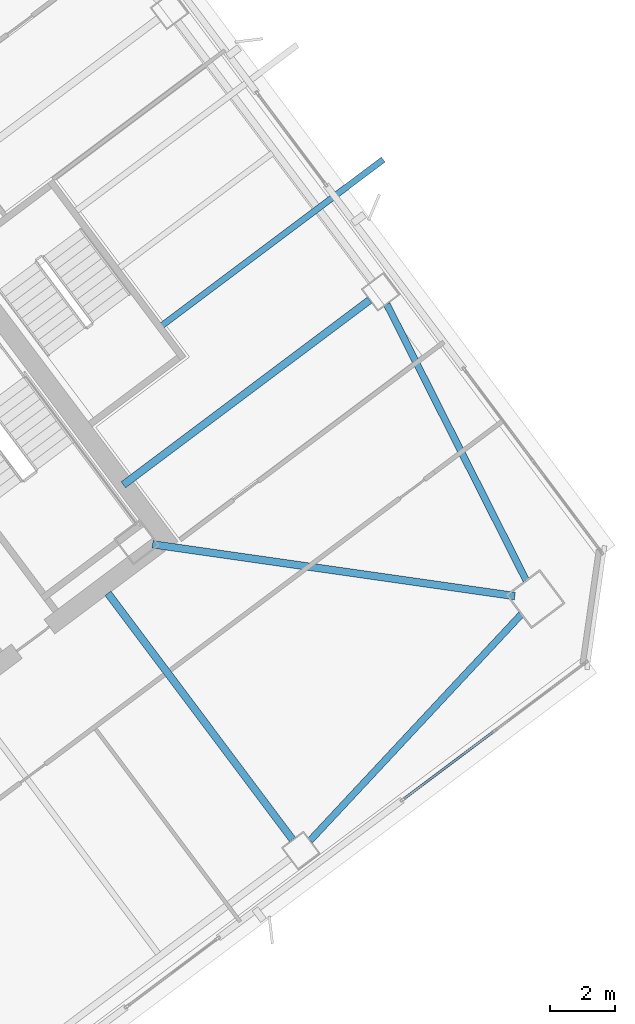
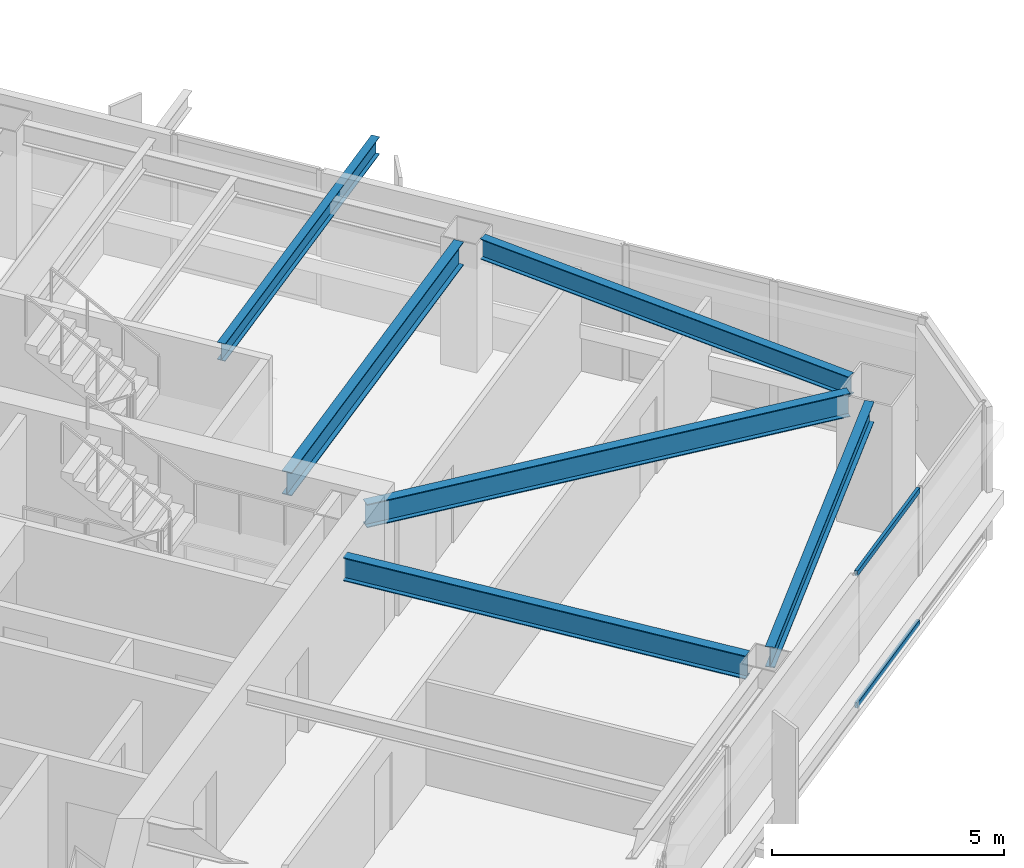
# One storey, part 27 of 48: 6 beams, 2 members, 1 element without a shape of its own.
"""IFC4 building model written with IfcOpenShell, lengths in metres."""

from ifc_helpers import new_model, si_unit, direction, frame, origin, origin_2d, place, context, subcontext, project, spatial, hollow_rectangle, i_section, extrude, material, material_profile, profile_set, type_object, element, aggregate, save


model = new_model("IFC4")

# Units and contexts
model_context = context("Model", 3, precision=1e-05, world=origin(), true_north=direction((0.0, 1.0)))
body_context = subcontext(model_context, "Body", "Model", "MODEL_VIEW")
ifc_project = project(units=[si_unit("LENGTHUNIT", "METRE"), si_unit("AREAUNIT", "SQUARE_METRE"), si_unit("VOLUMEUNIT", "CUBIC_METRE"), si_unit("PLANEANGLEUNIT", "RADIAN"), si_unit("MASSUNIT", "GRAM", prefix="KILO")], contexts=[model_context])

# Site, building, storey
site_placement = place(None, origin())
site = spatial("IfcSite", under=ifc_project, at=site_placement, CompositionType="ELEMENT")
building_placement = place(site_placement, origin())
building = spatial("IfcBuilding", under=site, at=building_placement, Name="Tashvorn Skyway Center", CompositionType="ELEMENT")
storey_placement = place(building_placement, frame((0.0, 0.0, 125.050048828125)))
storey = spatial("IfcBuildingStorey", under=building, at=storey_placement, Name="L33", CompositionType="ELEMENT", Elevation=125.050048828125)

# Beams
ifc_material_1 = material(Name="Steel ASTM A992 Grade 50", Category="steel")
ifc_material_profile_1 = material_profile(ifc_material_1, i_section(OverallWidth=0.22998046875, OverallDepth=0.616943359375, WebThickness=0.01318359375, FlangeThickness=0.022216796875, at=origin_2d()), Name="W24X94")
ifc_profile_set_1 = profile_set([ifc_material_profile_1], Name="Steel ASTM A992 Grade 50")
beam_type_1 = type_object("IfcBeamType", Name="BM-BEAM-W24X94", PredefinedType="BEAM", material=ifc_profile_set_1)
beam_1_placement = place(storey_placement, frame((135.4814453125, 28.93115234375, 3.0615234375), z_axis=(-0.989948189712, 0.141430483583, 0.0), x_axis=(-0.141430483583, -0.989948189712, 0.0)))
element("IfcBeam", 1, at=beam_1_placement, inside=storey, type_object=beam_type_1, Name="Tower 2 L33 Primary Floor Girder MC-SE", PredefinedType="BEAM", context=body_context, shape_type="SweptSolid", body=[
    extrude(i_section(OverallWidth=0.22998046875, OverallDepth=0.616943359375, WebThickness=0.01318359375, FlangeThickness=0.022216796875, at=origin_2d()), origin(), (0.0, 0.0, 1.0), 11.234375),
])
for number, where, z_axis, x_axis, name in (
    (2, (128.657958984375, 21.4560546875, 3.0615234375), (-0.599991732772, 0.800006200354, 0.0), (-0.800006200354, -0.599991732772, 0.0), "Tower 2 L33 Primary Floor Girder FC-S2"),
    (3, (131.02392578125, 38.01806640625, 3.0615234375), (-0.799984498661, -0.600020667896, 0.0), (0.600020667896, -0.799984498661, 0.0), "Tower 2 L33 Primary Floor Girder FC-E1"),
):
    element("IfcBeam", number, at=place(storey_placement, frame(where, z_axis=z_axis, x_axis=x_axis)), inside=storey, type_object=beam_type_1, Name=name, PredefinedType="BEAM", context=body_context, shape_type="SweptSolid", body=[
        extrude(i_section(OverallWidth=0.22998046875, OverallDepth=0.616943359375, WebThickness=0.01318359375, FlangeThickness=0.022216796875, at=origin_2d()), origin(), (0.0, 0.0, 1.0), 9.449951171875),
    ])
ifc_material_profile_2 = material_profile(ifc_material_1, i_section(OverallWidth=0.19091796875, OverallDepth=0.4599609375, WebThickness=0.010009765625, FlangeThickness=0.01611328125, at=origin_2d()), Name="W18X55")
ifc_profile_set_2 = profile_set([ifc_material_profile_2], Name="Steel ASTM A992 Grade 50")
beam_type_2 = type_object("IfcBeamType", Name="BM-JOIST-W18X55", PredefinedType="JOIST", material=ifc_profile_set_2)
beam_2_placement = place(storey_placement, frame((124.656005859375, 37.241943359375, 3.139892578125), z_axis=(0.799989635456, 0.600013819143, 0.0), x_axis=(-0.600013819143, 0.799989635456, 0.0)))
element("IfcBeam", 4, at=beam_2_placement, inside=storey, type_object=beam_type_2, Name="Tower 2 L34 Terrace Cantilever Outlooker 1", PredefinedType="JOIST", context=body_context, shape_type="SweptSolid", body=[
    extrude(i_section(OverallWidth=0.19091796875, OverallDepth=0.4599609375, WebThickness=0.010009765625, FlangeThickness=0.01611328125, at=origin_2d()), origin(), (0.0, 0.0, 1.0), 8.47998046875),
])
ifc_material_profile_3 = material_profile(ifc_material_1, i_section(OverallWidth=0.2109375, OverallDepth=0.5390625, WebThickness=0.01171875, FlangeThickness=0.018798828125, at=origin_2d()), Name="W21X73")
ifc_profile_set_3 = profile_set([ifc_material_profile_3], Name="Steel ASTM A992 Grade 50")
beam_type_3 = type_object("IfcBeamType", Name="BM-SPANDREL-W21X73", PredefinedType="SPANDREL", material=ifc_profile_set_3)
beam_3_placement = place(storey_placement, frame((129.19677734375, 21.427001953125, 3.100341796875), z_axis=(0.682545341102, 0.730843250868, 0.0), x_axis=(-0.730843250868, 0.682545341102, 0.0)))
element("IfcBeam", 5, at=beam_3_placement, inside=storey, type_object=beam_type_3, Name="Tower 2 L33 Spandrel Beam 03", PredefinedType="SPANDREL", context=body_context, shape_type="SweptSolid", body=[
    extrude(i_section(OverallWidth=0.2109375, OverallDepth=0.5390625, WebThickness=0.01171875, FlangeThickness=0.018798828125, at=origin_2d()), origin(), (0.0, 0.0, 1.0), 9.498046875),
])
beam_4_placement = place(storey_placement, frame((135.829345703125, 29.415771484375, 3.100341796875), z_axis=(-0.450613543136, 0.892719124217, 0.0), x_axis=(-0.892719124217, -0.450613543136, 0.0)))
element("IfcBeam", 6, at=beam_4_placement, inside=storey, type_object=beam_type_3, Name="Tower 2 L33 Spandrel Beam 04", PredefinedType="SPANDREL", context=body_context, shape_type="SweptSolid", body=[
    extrude(i_section(OverallWidth=0.2109375, OverallDepth=0.5390625, WebThickness=0.01171875, FlangeThickness=0.018798828125, at=origin_2d()), origin(), (0.0, 0.0, 1.0), 9.498291015625),
])

# Curtain wall, members
ifc_material_2 = material(Name="Thermally broken bronze-anodized aluminium 6063-T6", Category="aluminium")
curtain_wall_type = type_object("IfcCurtainWallType", Name="CW-CW-Z3", PredefinedType="NOTDEFINED", material=ifc_material_2)
curtain_wall_placement = place(storey_placement, origin())
curtain_wall = element("IfcCurtainWall", 7, at=curtain_wall_placement, inside=storey, type_object=curtain_wall_type, Name="Tower 2 L33 South Unitised Curtain Wall Glazing Group 1", PredefinedType="NOTDEFINED")
ifc_material_profile_4 = material_profile(ifc_material_2, hollow_rectangle(XDim=0.074951171875, YDim=0.139892578125, WallThickness=0.004150390625, at=origin_2d()), Name="ALU-TRAN-75x140")
ifc_profile_set_4 = profile_set([ifc_material_profile_4], Name="Thermally broken bronze-anodized aluminium 6063-T6")
member_type = type_object("IfcMemberType", Name="CWT-CW-Z3", PredefinedType="USERDEFINED", material=ifc_profile_set_4)
member_1_placement = place(storey_placement, frame((134.81884765625, 24.76416015625, 0.037353515625), z_axis=(-0.800008575267, -0.59998856614, 0.0), x_axis=(0.59998856614, -0.800008575267, 0.0)))
member_1 = element("IfcMember", 8, at=member_1_placement, type_object=member_type, Name="CW-Z3 transom 2.1", ObjectType="TRANSOM", PredefinedType="USERDEFINED", context=body_context, shape_type="SweptSolid", body=[
    extrude(hollow_rectangle(XDim=0.074951171875, YDim=0.139892578125, WallThickness=0.004150390625, at=origin_2d()), origin(), (0.0, 0.0, 1.0), 3.41650390625),
])
member_2_placement = place(storey_placement, frame((134.81884765625, 24.76416015625, 3.512451171875), z_axis=(-0.800008575267, -0.59998856614, 0.0), x_axis=(0.59998856614, -0.800008575267, 0.0)))
member_2 = element("IfcMember", 9, at=member_2_placement, type_object=member_type, Name="CW-Z3 transom 2.2", ObjectType="TRANSOM", PredefinedType="USERDEFINED", context=body_context, shape_type="SweptSolid", body=[
    extrude(hollow_rectangle(XDim=0.074951171875, YDim=0.139892578125, WallThickness=0.004150390625, at=origin_2d()), origin(), (0.0, 0.0, 1.0), 3.41650390625),
])
aggregate(curtain_wall, [member_1, member_2])

save(model, "model.ifc")
